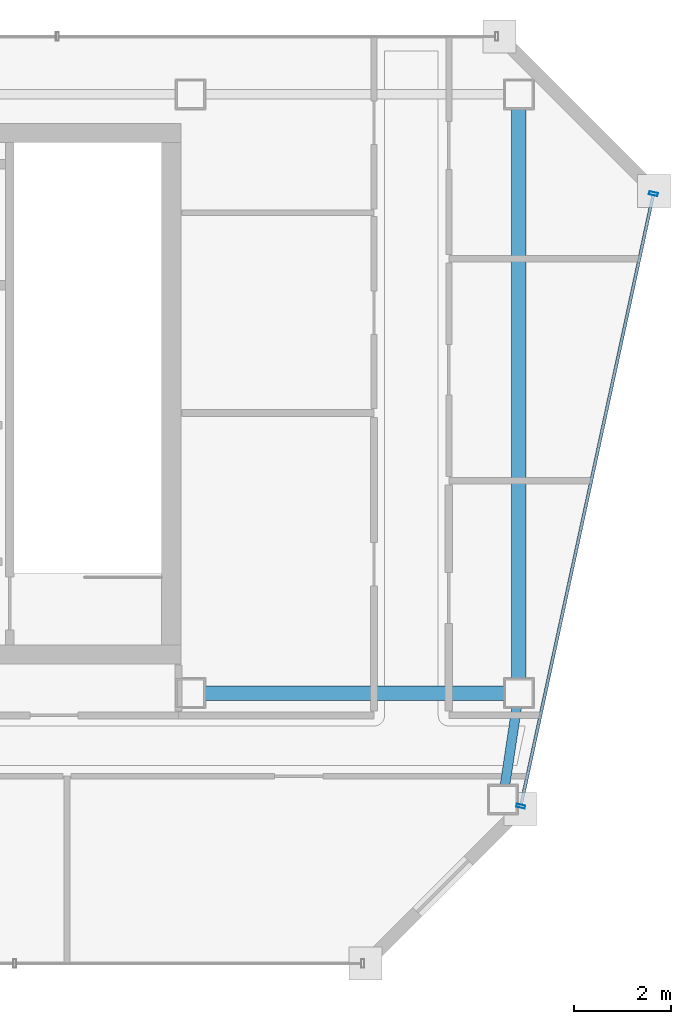
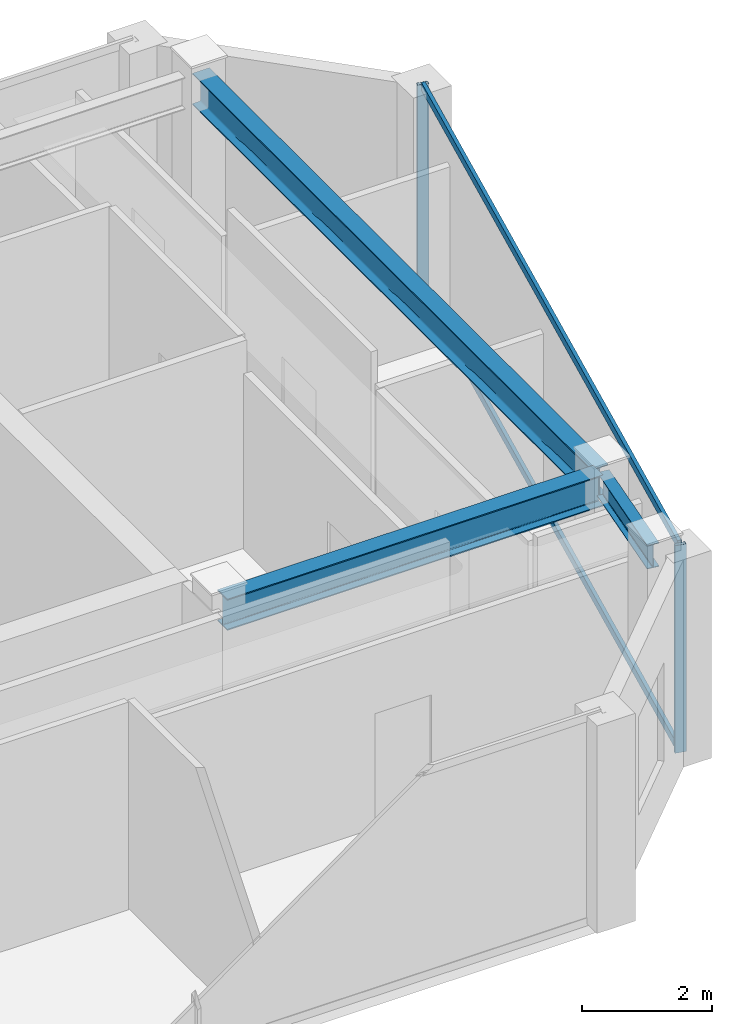
# One storey, part 10 of 17: 4 members, 3 beams, 1 element without a shape of its own.
"""IFC4 building model written with IfcOpenShell, lengths in metres."""

import ifcopenshell
import ifcopenshell.guid

model = None  # the IFC model being written
_history = None  # IfcOwnerHistory: only IFC2X3 demands one
_inside = {}  # id of a spatial element -> (the spatial element, [elements in it])
_under = {}  # id of a project, library or spatial element -> (it, [spatial elements below it])
_declared = {}  # id of a project -> (the project, [libraries it declares])
_typed = {}  # id of a type object -> (the type object, [elements of that type])
_made_of = {}  # id of a material, layer set ... -> (it, [elements and type objects made of it])


def new_model(schema):
    """Start an empty IFC model of exactly this schema.

    Asked for "IFC4X3", IfcOpenShell would pick the latest addendum, in which some entities
    have other attributes; the version numbers below select the first issue.
    IFC2X3 requires an IfcOwnerHistory on every rooted entity: one is made here for all.
    """
    global model, _history
    if schema == "IFC4X3":
        model = ifcopenshell.file(schema_version=(4, 3, 0, 0))
    else:
        model = ifcopenshell.file(schema=schema)
    _inside.clear()
    _under.clear()
    _declared.clear()
    _typed.clear()
    _made_of.clear()
    _history = None
    if model.schema == "IFC2X3":
        org = make("IfcOrganization", Name="unknown")
        user = make(
            "IfcPersonAndOrganization",
            ThePerson=make("IfcPerson", FamilyName="unknown"),
            TheOrganization=org,
        )
        app = make(
            "IfcApplication",
            ApplicationDeveloper=org,
            Version="unknown",
            ApplicationFullName="unknown",
            ApplicationIdentifier="unknown",
        )
        _history = make(
            "IfcOwnerHistory",
            OwningUser=user,
            OwningApplication=app,
            ChangeAction="ADDED",
            CreationDate=0,
        )
    return model


def make(cls, **values):
    """One entity of the class cls with the attributes given. An attribute that is None is left unset."""
    return model.create_entity(
        cls, **{name: value for name, value in values.items() if value is not None}
    )


def rooted(cls, **values):
    """An entity with a GlobalId (a new one), such as an element, a storey or a relation."""
    return make(cls, GlobalId=ifcopenshell.guid.new(), OwnerHistory=_history, **values)


def si_unit(unit_type, name, prefix=None):
    """IfcSIUnit, for example si_unit("LENGTHUNIT", "METRE", prefix="MILLI")."""
    return make("IfcSIUnit", UnitType=unit_type, Prefix=prefix, Name=name)


def assignment(units):
    """IfcUnitAssignment: the units of a project."""
    return None if units is None else make("IfcUnitAssignment", Units=units)


def point(xyz):
    """IfcCartesianPoint."""
    return None if xyz is None else make("IfcCartesianPoint", Coordinates=xyz)


def direction(xyz):
    """IfcDirection."""
    return None if xyz is None else make("IfcDirection", DirectionRatios=xyz)


def frame(location, z_axis=None, x_axis=None):
    """IfcAxis2Placement3D, a coordinate frame: its origin and axes. An axis left out is left unset."""
    return make(
        "IfcAxis2Placement3D",
        Location=point(location),
        Axis=direction(z_axis),
        RefDirection=direction(x_axis),
    )


def frame_2d(location, x_axis=None):
    """IfcAxis2Placement2D, a coordinate frame in the plane: its origin and x axis."""
    return make(
        "IfcAxis2Placement2D", Location=point(location), RefDirection=direction(x_axis)
    )


def origin():
    """The frame at (0, 0, 0) with its axes left unset."""
    return frame((0.0, 0.0, 0.0))


def origin_2d():
    """The frame at (0, 0) in the plane with its x axis left unset."""
    return frame_2d((0.0, 0.0))


def place(relative_to, where):
    """IfcLocalPlacement: puts the frame where relative to a parent placement (None: the world)."""
    return make(
        "IfcLocalPlacement", PlacementRelTo=relative_to, RelativePlacement=where
    )


def context(
    kind, dimensions, precision=None, world=None, true_north=None, identifier=None
):
    """IfcGeometricRepresentationContext, for example the 3D "Model" context."""
    return make(
        "IfcGeometricRepresentationContext",
        ContextIdentifier=identifier,
        ContextType=kind,
        CoordinateSpaceDimension=dimensions,
        Precision=precision,
        WorldCoordinateSystem=world,
        TrueNorth=true_north,
    )


def subcontext(parent, identifier, kind, view, scale=None):
    """IfcGeometricRepresentationSubContext, for example "Body" below "Model"."""
    return make(
        "IfcGeometricRepresentationSubContext",
        ContextIdentifier=identifier,
        ContextType=kind,
        ParentContext=parent,
        TargetScale=scale,
        TargetView=view,
    )


def project(units=None, contexts=None):
    """IfcProject with its units and contexts."""
    return rooted(
        "IfcProject",
        Name="project",
        RepresentationContexts=contexts,
        UnitsInContext=assignment(units),
    )


def spatial(cls, under=None, at=None, **own):
    """A site, building, storey or space (cls), placed at a placement, below another one or the project."""
    s = rooted(cls, ObjectPlacement=at, **own)
    if under is not None:
        _under.setdefault(under.id(), (under, []))[1].append(s)
    return s


def profile(cls, at=None, kind="AREA", **sizes):
    """A parametric profile (cls). Its sizes go by their IFC names, for example OverallWidth=200.0."""
    return make(cls, ProfileType=kind, Position=at, **sizes)


def hollow_rectangle(**sizes):
    """IfcRectangleHollowProfileDef."""
    return profile("IfcRectangleHollowProfileDef", **sizes)


def i_section(**sizes):
    """IfcIShapeProfileDef."""
    return profile("IfcIShapeProfileDef", **sizes)


def extrude(swept, where, along, depth):
    """IfcExtrudedAreaSolid: the profile swept, set in the frame where, extruded along a direction by depth."""
    return make(
        "IfcExtrudedAreaSolid",
        SweptArea=swept,
        Position=where,
        ExtrudedDirection=direction(along),
        Depth=depth,
    )


def shape(context_of_items, identifier, shape_type, items):
    """IfcShapeRepresentation: the items that make up one representation, for example the "Body"."""
    return make(
        "IfcShapeRepresentation",
        ContextOfItems=context_of_items,
        RepresentationIdentifier=identifier,
        RepresentationType=shape_type,
        Items=items,
    )


def material(Name=None, Category=None):
    """IfcMaterial."""
    return make("IfcMaterial", Name=Name, Category=Category)


def material_profile(
    of_material, cross_section, Name=None, Category=None, Priority=None
):
    """IfcMaterialProfile: a cross section and its material."""
    return make(
        "IfcMaterialProfile",
        Name=Name,
        Material=of_material,
        Profile=cross_section,
        Priority=Priority,
        Category=Category,
    )


def profile_set(profiles, Name=None, composite=None):
    """IfcMaterialProfileSet."""
    return make(
        "IfcMaterialProfileSet",
        Name=Name,
        MaterialProfiles=profiles,
        CompositeProfile=composite,
    )


def made_of(thing, what):
    """Note that an element or type object is made of a material, layer set ...; save() writes the relation."""
    if what is not None:
        _made_of.setdefault(what.id(), (what, []))[1].append(thing)
    return thing


def type_object(cls, material=None, **own):
    """A type object (cls), such as IfcWallType, which elements share."""
    return made_of(rooted(cls, **own), material)


def element(
    cls,
    number,
    at=None,
    inside=None,
    cuts=None,
    type_object=None,
    material=None,
    context=None,
    identifier="Body",
    shape_type=None,
    held_by="IfcProductDefinitionShape",
    body=None,
    shapes=None,
    **own,
):
    """One element of the class cls, such as IfcWall. Its Tag is "e" and its number.

    at: its placement. inside: the storey or other place that contains it. cuts: it is an
    opening in that element (IfcRelVoidsElement). A single representation is given by context,
    identifier, shape_type and body (its items); several are given by shapes. held_by: the class
    of the entity that holds the representations. save() writes the other relations.
    """
    e = rooted(cls, Tag="e%d" % number, ObjectPlacement=at, **own)
    if body is not None:
        shapes = [shape(context, identifier, shape_type, body)]
    if shapes is not None:
        e.Representation = make(held_by, Representations=shapes)
    if inside is not None:
        _inside.setdefault(inside.id(), (inside, []))[1].append(e)
    if cuts is not None:
        rooted(
            "IfcRelVoidsElement", RelatingBuildingElement=cuts, RelatedOpeningElement=e
        )
    if type_object is not None:
        _typed.setdefault(type_object.id(), (type_object, []))[1].append(e)
    return made_of(e, material)


def aggregate(whole, parts):
    """IfcRelAggregates: a whole, such as a stair, and the parts it consists of."""
    return rooted("IfcRelAggregates", RelatingObject=whole, RelatedObjects=parts)


def save(model, path):
    """Write the relations noted so far, then the file.

    IfcRelAggregates (storeys below a building ...), IfcRelContainedInSpatialStructure (elements
    in a storey), IfcRelDefinesByType, IfcRelAssociatesMaterial and IfcRelDeclares: one each for
    every whole, place, type object, material and project.
    """
    for whole, parts in _under.values():
        aggregate(whole, parts)
    for where, things in _inside.values():
        rooted(
            "IfcRelContainedInSpatialStructure",
            RelatedElements=things,
            RelatingStructure=where,
        )
    for kind, things in _typed.values():
        rooted("IfcRelDefinesByType", RelatedObjects=things, RelatingType=kind)
    for what, things in _made_of.values():
        rooted("IfcRelAssociatesMaterial", RelatedObjects=things, RelatingMaterial=what)
    for by, libraries in _declared.values():
        rooted("IfcRelDeclares", RelatingContext=by, RelatedDefinitions=libraries)
    model.write(path)


model = new_model("IFC4")

# Units and contexts
model_context = context("Model", 3, precision=1e-05, world=origin(), true_north=direction((0.0, 1.0)))
body_context = subcontext(model_context, "Body", "Model", "MODEL_VIEW")
ifc_project = project(units=[si_unit("LENGTHUNIT", "METRE"), si_unit("AREAUNIT", "SQUARE_METRE"), si_unit("VOLUMEUNIT", "CUBIC_METRE"), si_unit("PLANEANGLEUNIT", "RADIAN"), si_unit("MASSUNIT", "GRAM", prefix="KILO")], contexts=[model_context])

# Site, building, storey
site_placement = place(None, origin())
site = spatial("IfcSite", under=ifc_project, at=site_placement, CompositionType="ELEMENT")
building_placement = place(site_placement, origin())
building = spatial("IfcBuilding", under=site, at=building_placement, Name="Saevonmaru Cultural Tower", CompositionType="ELEMENT")
storey_placement = place(building_placement, frame((0.0, 0.0, 323.39990234375)))
storey = spatial("IfcBuildingStorey", under=building, at=storey_placement, Name="L77", CompositionType="ELEMENT", Elevation=323.39990234375)

# Beams
ifc_material_1 = material(Name="Steel SM355", Category="steel")
ifc_material_profile_1 = material_profile(ifc_material_1, i_section(OverallWidth=0.300048828125, OverallDepth=0.587890625, WebThickness=0.011962890625, FlangeThickness=0.02001953125, FilletRadius=0.02392578125, at=origin_2d()), Name="H-588x300x12x20")
ifc_profile_set_1 = profile_set([ifc_material_profile_1], Name="Steel SM355")
beam_type_1 = type_object("IfcBeamType", Name="BM-G-H588", PredefinedType="BEAM", material=ifc_profile_set_1)
beam_1_placement = place(storey_placement, frame((46.4599609375, 42.39990234375, 3.606201171875), z_axis=(1.0, 0.0, 0.0), x_axis=(0.0, 1.0, 0.0)))
element("IfcBeam", 1, at=beam_1_placement, inside=storey, type_object=beam_type_1, Name="L77 Core South Girder 5", PredefinedType="BEAM", context=body_context, shape_type="SweptSolid", body=[
    extrude(i_section(OverallWidth=0.300048828125, OverallDepth=0.587890625, WebThickness=0.011962890625, FlangeThickness=0.02001953125, FilletRadius=0.02392578125, at=origin_2d()), origin(), (0.0, 0.0, 1.0), 6.679931640625),
])
beam_2_placement = place(storey_placement, frame((53.199951171875, 54.739990234375, 3.606201171875), z_axis=(0.0, -1.0, 0.0), x_axis=(1.0, 0.0, 0.0)))
element("IfcBeam", 2, at=beam_2_placement, inside=storey, type_object=beam_type_1, Name="L77 Spine Transverse Girder E", PredefinedType="BEAM", context=body_context, shape_type="SweptSolid", body=[
    extrude(i_section(OverallWidth=0.300048828125, OverallDepth=0.587890625, WebThickness=0.011962890625, FlangeThickness=0.02001953125, FilletRadius=0.02392578125, at=origin_2d()), origin(), (0.0, 0.0, 1.0), 12.280029296875),
])
ifc_material_profile_2 = material_profile(ifc_material_1, i_section(OverallWidth=0.199951171875, OverallDepth=0.449951171875, WebThickness=0.009033203125, FlangeThickness=0.013916015625, FilletRadius=0.01806640625, at=origin_2d()), Name="H-450x200x9x14")
ifc_profile_set_2 = profile_set([ifc_material_profile_2], Name="Steel SM355")
beam_type_2 = type_object("IfcBeamType", Name="BM-SP-H450", PredefinedType="SPANDREL", material=ifc_profile_set_2)
beam_3_placement = place(storey_placement, frame((52.876953125, 40.25927734375, 3.675048828125), z_axis=(0.149145717006, 0.988815227987, 0.0), x_axis=(-0.988815227987, 0.149145717006, 0.0)))
element("IfcBeam", 3, at=beam_3_placement, inside=storey, type_object=beam_type_2, Name="L77 East Splayed Spandrel 1", PredefinedType="SPANDREL", context=body_context, shape_type="SweptSolid", body=[
    extrude(i_section(OverallWidth=0.199951171875, OverallDepth=0.449951171875, WebThickness=0.009033203125, FlangeThickness=0.013916015625, FilletRadius=0.01806640625, at=origin_2d()), origin(), (0.0, 0.0, 1.0), 2.10498046875),
])

# Curtain wall, members
ifc_material_2 = material(Name="Satin Bronze Anodised Aluminium", Category="aluminium")
curtain_wall_type = type_object("IfcCurtainWallType", Name="CW-SKY-GLZ", PredefinedType="NOTDEFINED", material=ifc_material_2)
curtain_wall_placement = place(storey_placement, origin())
curtain_wall = element("IfcCurtainWall", 4, at=curtain_wall_placement, inside=storey, type_object=curtain_wall_type, Name="L77 Unitised Curtain Wall E8", PredefinedType="NOTDEFINED")
ifc_material_profile_3 = material_profile(ifc_material_2, hollow_rectangle(XDim=0.06494140625, YDim=0.179931640625, WallThickness=0.00390625, at=origin_2d()), Name="ALU-MULL-180x65x4")
ifc_profile_set_3 = profile_set([ifc_material_profile_3], Name="Satin Bronze Anodised Aluminium")
member_type_1 = type_object("IfcMemberType", Name="ML-CW-180x65", PredefinedType="MULLION", material=ifc_profile_set_3)
member_1_placement = place(storey_placement, frame((53.239501953125, 40.05859375, 0.0), z_axis=(0.0, 0.0, 1.0), x_axis=(0.211750401587, 0.977323778196, 0.0)))
member_1 = element("IfcMember", 5, at=member_1_placement, type_object=member_type_1, Name="CW-TW-L77-E8 mullion 1", PredefinedType="MULLION", context=body_context, shape_type="SweptSolid", body=[
    extrude(hollow_rectangle(XDim=0.06494140625, YDim=0.179931640625, WallThickness=0.00390625, at=origin_2d()), origin(), (0.0, 0.0, 1.0), 3.900146484375),
])
member_2_placement = place(storey_placement, frame((55.9873046875, 52.741455078125, 0.0), z_axis=(0.0, 0.0, 1.0), x_axis=(0.211750401587, 0.977323778196, 0.0)))
member_2 = element("IfcMember", 6, at=member_2_placement, type_object=member_type_1, Name="CW-TW-L77-E8 mullion 2", PredefinedType="MULLION", context=body_context, shape_type="SweptSolid", body=[
    extrude(hollow_rectangle(XDim=0.06494140625, YDim=0.179931640625, WallThickness=0.00390625, at=origin_2d()), origin(), (0.0, 0.0, 1.0), 3.900146484375),
])
ifc_material_profile_4 = material_profile(ifc_material_2, hollow_rectangle(XDim=0.06494140625, YDim=0.14990234375, WallThickness=0.00390625, at=origin_2d()), Name="ALU-TRAN-150x65x4")
ifc_profile_set_4 = profile_set([ifc_material_profile_4], Name="Satin Bronze Anodised Aluminium")
member_type_2 = type_object("IfcMemberType", Name="TR-CW-150x65", PredefinedType="USERDEFINED", material=ifc_profile_set_4)
member_3_placement = place(storey_placement, frame((53.246337890625, 40.09033203125, 0.03271484375), z_axis=(0.211748230013, 0.977324248695, 0.0), x_axis=(-0.977324248695, 0.211748230013, 0.0)))
member_3 = element("IfcMember", 7, at=member_3_placement, type_object=member_type_2, Name="CW-TW-L77-E8 transom 1.1", ObjectType="TRANSOM", PredefinedType="USERDEFINED", context=body_context, shape_type="SweptSolid", body=[
    extrude(hollow_rectangle(XDim=0.06494140625, YDim=0.14990234375, WallThickness=0.00390625, at=origin_2d()), origin(), (0.0, 0.0, 1.0), 12.912109375),
])
member_4_placement = place(storey_placement, frame((53.246337890625, 40.09033203125, 3.86767578125), z_axis=(0.211748230013, 0.977324248695, 0.0), x_axis=(-0.977324248695, 0.211748230013, 0.0)))
member_4 = element("IfcMember", 8, at=member_4_placement, type_object=member_type_2, Name="CW-TW-L77-E8 transom 1.2", ObjectType="TRANSOM", PredefinedType="USERDEFINED", context=body_context, shape_type="SweptSolid", body=[
    extrude(hollow_rectangle(XDim=0.06494140625, YDim=0.14990234375, WallThickness=0.00390625, at=origin_2d()), origin(), (0.0, 0.0, 1.0), 12.912109375),
])
aggregate(curtain_wall, [member_1, member_2, member_3, member_4])

save(model, "model.ifc")
